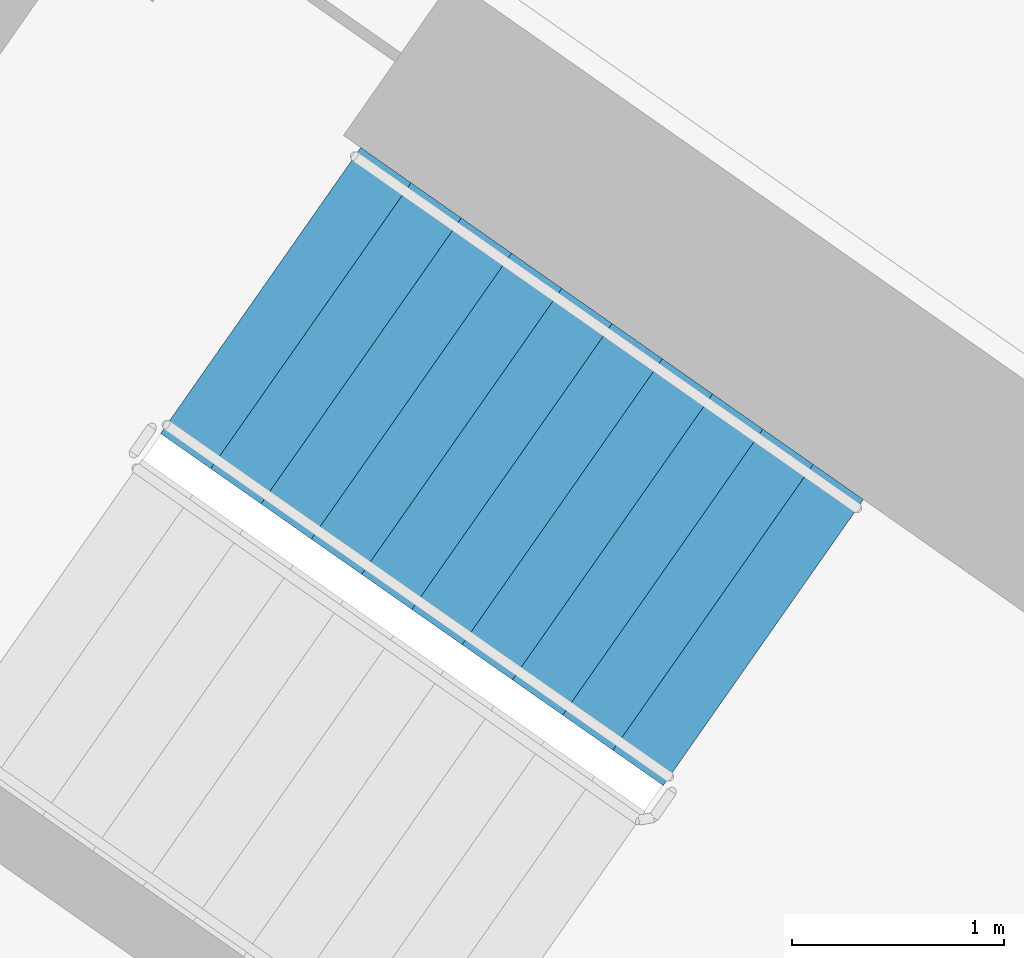
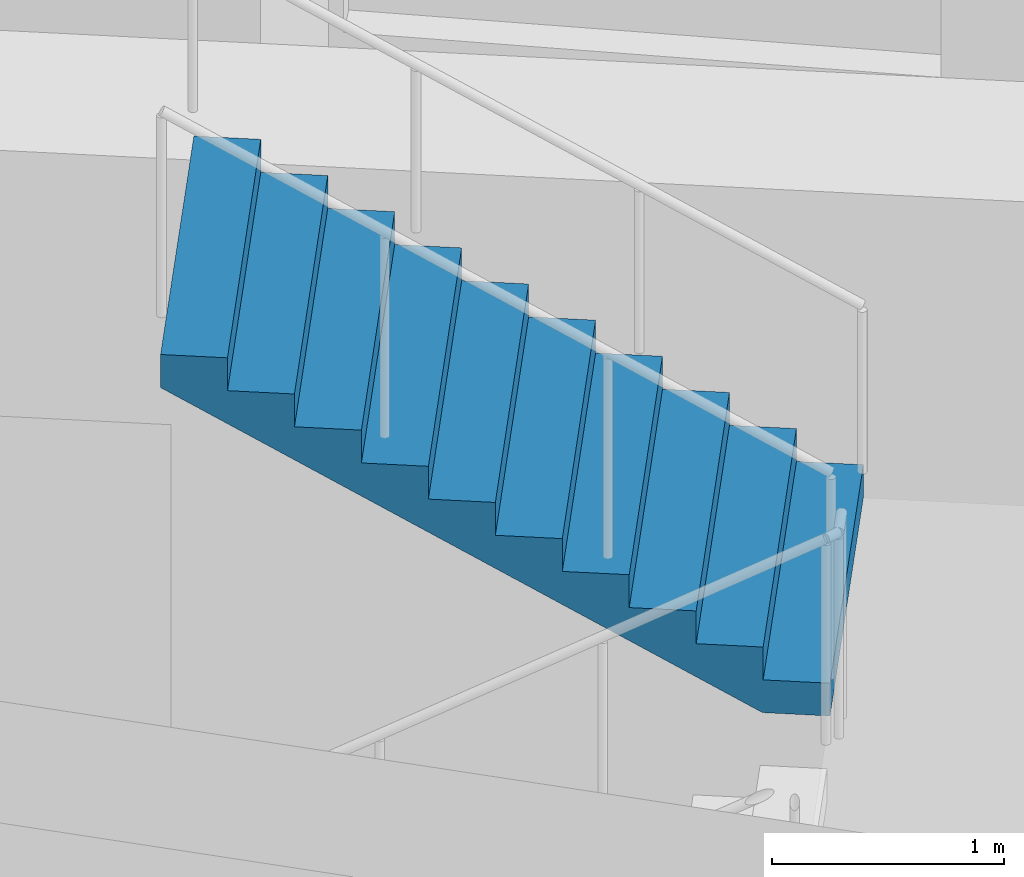
# One storey, part 12 of 29: 1 stair flight, 1 element without a shape of its own.
"""IFC4 building model written with IfcOpenShell, lengths in metres."""

import ifcopenshell
import ifcopenshell.guid

model = None  # the IFC model being written
_history = None  # IfcOwnerHistory: only IFC2X3 demands one
_inside = {}  # id of a spatial element -> (the spatial element, [elements in it])
_under = {}  # id of a project, library or spatial element -> (it, [spatial elements below it])
_declared = {}  # id of a project -> (the project, [libraries it declares])
_typed = {}  # id of a type object -> (the type object, [elements of that type])
_made_of = {}  # id of a material, layer set ... -> (it, [elements and type objects made of it])


def new_model(schema):
    """Start an empty IFC model of exactly this schema.

    Asked for "IFC4X3", IfcOpenShell would pick the latest addendum, in which some entities
    have other attributes; the version numbers below select the first issue.
    IFC2X3 requires an IfcOwnerHistory on every rooted entity: one is made here for all.
    """
    global model, _history
    if schema == "IFC4X3":
        model = ifcopenshell.file(schema_version=(4, 3, 0, 0))
    else:
        model = ifcopenshell.file(schema=schema)
    _inside.clear()
    _under.clear()
    _declared.clear()
    _typed.clear()
    _made_of.clear()
    _history = None
    if model.schema == "IFC2X3":
        org = make("IfcOrganization", Name="unknown")
        user = make(
            "IfcPersonAndOrganization",
            ThePerson=make("IfcPerson", FamilyName="unknown"),
            TheOrganization=org,
        )
        app = make(
            "IfcApplication",
            ApplicationDeveloper=org,
            Version="unknown",
            ApplicationFullName="unknown",
            ApplicationIdentifier="unknown",
        )
        _history = make(
            "IfcOwnerHistory",
            OwningUser=user,
            OwningApplication=app,
            ChangeAction="ADDED",
            CreationDate=0,
        )
    return model


def make(cls, **values):
    """One entity of the class cls with the attributes given. An attribute that is None is left unset."""
    return model.create_entity(
        cls, **{name: value for name, value in values.items() if value is not None}
    )


def rooted(cls, **values):
    """An entity with a GlobalId (a new one), such as an element, a storey or a relation."""
    return make(cls, GlobalId=ifcopenshell.guid.new(), OwnerHistory=_history, **values)


def si_unit(unit_type, name, prefix=None):
    """IfcSIUnit, for example si_unit("LENGTHUNIT", "METRE", prefix="MILLI")."""
    return make("IfcSIUnit", UnitType=unit_type, Prefix=prefix, Name=name)


def assignment(units):
    """IfcUnitAssignment: the units of a project."""
    return None if units is None else make("IfcUnitAssignment", Units=units)


def point(xyz):
    """IfcCartesianPoint."""
    return None if xyz is None else make("IfcCartesianPoint", Coordinates=xyz)


def direction(xyz):
    """IfcDirection."""
    return None if xyz is None else make("IfcDirection", DirectionRatios=xyz)


def frame(location, z_axis=None, x_axis=None):
    """IfcAxis2Placement3D, a coordinate frame: its origin and axes. An axis left out is left unset."""
    return make(
        "IfcAxis2Placement3D",
        Location=point(location),
        Axis=direction(z_axis),
        RefDirection=direction(x_axis),
    )


def origin():
    """The frame at (0, 0, 0) with its axes left unset."""
    return frame((0.0, 0.0, 0.0))


def place(relative_to, where):
    """IfcLocalPlacement: puts the frame where relative to a parent placement (None: the world)."""
    return make(
        "IfcLocalPlacement", PlacementRelTo=relative_to, RelativePlacement=where
    )


def context(
    kind, dimensions, precision=None, world=None, true_north=None, identifier=None
):
    """IfcGeometricRepresentationContext, for example the 3D "Model" context."""
    return make(
        "IfcGeometricRepresentationContext",
        ContextIdentifier=identifier,
        ContextType=kind,
        CoordinateSpaceDimension=dimensions,
        Precision=precision,
        WorldCoordinateSystem=world,
        TrueNorth=true_north,
    )


def subcontext(parent, identifier, kind, view, scale=None):
    """IfcGeometricRepresentationSubContext, for example "Body" below "Model"."""
    return make(
        "IfcGeometricRepresentationSubContext",
        ContextIdentifier=identifier,
        ContextType=kind,
        ParentContext=parent,
        TargetScale=scale,
        TargetView=view,
    )


def project(units=None, contexts=None):
    """IfcProject with its units and contexts."""
    return rooted(
        "IfcProject",
        Name="project",
        RepresentationContexts=contexts,
        UnitsInContext=assignment(units),
    )


def spatial(cls, under=None, at=None, **own):
    """A site, building, storey or space (cls), placed at a placement, below another one or the project."""
    s = rooted(cls, ObjectPlacement=at, **own)
    if under is not None:
        _under.setdefault(under.id(), (under, []))[1].append(s)
    return s


def faces_of(points, faces, orient=None, outer=None):
    """IfcFace entities. A face is a list of loops; a loop is a list of indices into points, from 0.

    orient and outer hold one flag for each loop. By default every Orientation is true, the
    first loop of a face is its IfcFaceOuterBound and the others are IfcFaceBound.
    """
    made = []
    for i, loops in enumerate(faces):
        bounds = []
        for j, loop in enumerate(loops):
            is_outer = j == 0 if outer is None else outer[i][j]
            bounds.append(
                make(
                    "IfcFaceOuterBound" if is_outer else "IfcFaceBound",
                    Bound=make("IfcPolyLoop", Polygon=[points[k] for k in loop]),
                    Orientation=True if orient is None else orient[i][j],
                )
            )
        made.append(make("IfcFace", Bounds=bounds))
    return made


def faceted_brep(points, faces, orient=None, outer=None, voids=None):
    """IfcFacetedBrep: a solid bounded by flat faces; with voids (closed shells), ...WithVoids."""
    shared = [point(p) for p in points]
    hull = make("IfcClosedShell", CfsFaces=faces_of(shared, faces, orient, outer))
    if voids is None:
        return make("IfcFacetedBrep", Outer=hull)
    return make(
        "IfcFacetedBrepWithVoids",
        Outer=hull,
        Voids=[
            make(cls, CfsFaces=faces_of(shared, fs, o, b)) for cls, fs, o, b in voids
        ],
    )


def shape(context_of_items, identifier, shape_type, items):
    """IfcShapeRepresentation: the items that make up one representation, for example the "Body"."""
    return make(
        "IfcShapeRepresentation",
        ContextOfItems=context_of_items,
        RepresentationIdentifier=identifier,
        RepresentationType=shape_type,
        Items=items,
    )


def material(Name=None, Category=None):
    """IfcMaterial."""
    return make("IfcMaterial", Name=Name, Category=Category)


def made_of(thing, what):
    """Note that an element or type object is made of a material, layer set ...; save() writes the relation."""
    if what is not None:
        _made_of.setdefault(what.id(), (what, []))[1].append(thing)
    return thing


def type_object(cls, material=None, **own):
    """A type object (cls), such as IfcWallType, which elements share."""
    return made_of(rooted(cls, **own), material)


def element(
    cls,
    number,
    at=None,
    inside=None,
    cuts=None,
    type_object=None,
    material=None,
    context=None,
    identifier="Body",
    shape_type=None,
    held_by="IfcProductDefinitionShape",
    body=None,
    shapes=None,
    **own,
):
    """One element of the class cls, such as IfcWall. Its Tag is "e" and its number.

    at: its placement. inside: the storey or other place that contains it. cuts: it is an
    opening in that element (IfcRelVoidsElement). A single representation is given by context,
    identifier, shape_type and body (its items); several are given by shapes. held_by: the class
    of the entity that holds the representations. save() writes the other relations.
    """
    e = rooted(cls, Tag="e%d" % number, ObjectPlacement=at, **own)
    if body is not None:
        shapes = [shape(context, identifier, shape_type, body)]
    if shapes is not None:
        e.Representation = make(held_by, Representations=shapes)
    if inside is not None:
        _inside.setdefault(inside.id(), (inside, []))[1].append(e)
    if cuts is not None:
        rooted(
            "IfcRelVoidsElement", RelatingBuildingElement=cuts, RelatedOpeningElement=e
        )
    if type_object is not None:
        _typed.setdefault(type_object.id(), (type_object, []))[1].append(e)
    return made_of(e, material)


def aggregate(whole, parts):
    """IfcRelAggregates: a whole, such as a stair, and the parts it consists of."""
    return rooted("IfcRelAggregates", RelatingObject=whole, RelatedObjects=parts)


def save(model, path):
    """Write the relations noted so far, then the file.

    IfcRelAggregates (storeys below a building ...), IfcRelContainedInSpatialStructure (elements
    in a storey), IfcRelDefinesByType, IfcRelAssociatesMaterial and IfcRelDeclares: one each for
    every whole, place, type object, material and project.
    """
    for whole, parts in _under.values():
        aggregate(whole, parts)
    for where, things in _inside.values():
        rooted(
            "IfcRelContainedInSpatialStructure",
            RelatedElements=things,
            RelatingStructure=where,
        )
    for kind, things in _typed.values():
        rooted("IfcRelDefinesByType", RelatedObjects=things, RelatingType=kind)
    for what, things in _made_of.values():
        rooted("IfcRelAssociatesMaterial", RelatedObjects=things, RelatingMaterial=what)
    for by, libraries in _declared.values():
        rooted("IfcRelDeclares", RelatingContext=by, RelatedDefinitions=libraries)
    model.write(path)


model = new_model("IFC4")

# Units and contexts
model_context = context("Model", 3, precision=1e-05, world=origin(), true_north=direction((0.0, 1.0)))
body_context = subcontext(model_context, "Body", "Model", "MODEL_VIEW")
ifc_project = project(units=[si_unit("LENGTHUNIT", "METRE"), si_unit("AREAUNIT", "SQUARE_METRE"), si_unit("VOLUMEUNIT", "CUBIC_METRE"), si_unit("PLANEANGLEUNIT", "RADIAN"), si_unit("MASSUNIT", "GRAM", prefix="KILO")], contexts=[model_context])

# Site, building, storey
site_placement = place(None, origin())
site = spatial("IfcSite", under=ifc_project, at=site_placement, CompositionType="ELEMENT")
building_placement = place(site_placement, origin())
building = spatial("IfcBuilding", under=site, at=building_placement, Name="Qamariyya Broadcast Tower", CompositionType="ELEMENT")
storey_placement = place(building_placement, frame((0.0, 0.0, 121.5)))
storey = spatial("IfcBuildingStorey", under=building, at=storey_placement, Name="L27", CompositionType="ELEMENT", Elevation=121.5)

# Stair, stair flight
ifc_material = material(Name="Concrete C50/60", Category="concrete")
stair_type = type_object("IfcStairType", Name="Exit stair 22 risers of 173 mm", PredefinedType="HALF_TURN_STAIR", material=ifc_material)
stair_placement = place(storey_placement, origin())
stair = element("IfcStair", 1, at=stair_placement, inside=storey, type_object=stair_type, Name="L27 Stair W2", PredefinedType="HALF_TURN_STAIR")
stair_flight_type = type_object("IfcStairFlightType", Name="Exit stair flight 11 risers of 173 mm", PredefinedType="STRAIGHT", material=ifc_material)
stair_flight_placement = place(storey_placement, frame((-38.18310546875, -49.3486328125, 1.89990234375), z_axis=(0.0, 0.0, 1.0), x_axis=(-0.819152044289, 0.573576436351, 0.0)))
stair_flight = element("IfcStairFlight", 2, at=stair_flight_placement, type_object=stair_flight_type, Name="ST-W2 flight 2", NumberOfRisers=11, NumberOfTreads=10, PredefinedType="STRAIGHT", RiserHeight=0.172727273, TreadLength=0.29, context=body_context, shape_type="Brep", body=[
    faceted_brep([(0.0, 0.824951171875, 0.0), (0.0, 0.824951171875, 0.172607421875), (0.2900390625, 0.824951171875, 0.172607421875), (0.2900390625, 0.824951171875, 0.345458984375), (0.580078125, 0.824951171875, 0.345458984375), (0.580078125, 0.824951171875, 0.51806640625), (0.8701171875, 0.824951171875, 0.51806640625), (0.8701171875, 0.824951171875, 0.69091796875), (1.159912109375, 0.824951171875, 0.69091796875), (1.159912109375, 0.824951171875, 0.863525390625), (1.449951171875, 0.824951171875, 0.863525390625), (1.449951171875, 0.824951171875, 1.036376953125), (1.739990234375, 0.824951171875, 1.036376953125), (1.739990234375, 0.824951171875, 1.208984375), (2.030029296875, 0.824951171875, 1.208984375), (2.030029296875, 0.824951171875, 1.3818359375), (2.320068359375, 0.824951171875, 1.3818359375), (2.320068359375, 0.824951171875, 1.554443359375), (2.610107421875, 0.824951171875, 1.554443359375), (2.610107421875, 0.824951171875, 1.727294921875), (2.89990234375, 0.824951171875, 1.727294921875), (2.89990234375, 0.824951171875, 1.552734375), (0.29296875, 0.824951171875, 0.0), (0.29296875, -0.824951171875, 0.0), (2.89990234375, -0.824951171875, 1.552734375), (2.89990234375, -0.824951171875, 1.727294921875), (2.610107421875, -0.824951171875, 1.727294921875), (2.610107421875, -0.824951171875, 1.554443359375), (2.320068359375, -0.824951171875, 1.554443359375), (2.320068359375, -0.824951171875, 1.3818359375), (2.030029296875, -0.824951171875, 1.3818359375), (2.030029296875, -0.824951171875, 1.208984375), (1.739990234375, -0.824951171875, 1.208984375), (1.739990234375, -0.824951171875, 1.036376953125), (1.449951171875, -0.824951171875, 1.036376953125), (1.449951171875, -0.824951171875, 0.863525390625), (1.159912109375, -0.824951171875, 0.863525390625), (1.159912109375, -0.824951171875, 0.69091796875), (0.8701171875, -0.824951171875, 0.69091796875), (0.8701171875, -0.824951171875, 0.51806640625), (0.580078125, -0.824951171875, 0.51806640625), (0.580078125, -0.824951171875, 0.345458984375), (0.2900390625, -0.824951171875, 0.345458984375), (0.2900390625, -0.824951171875, 0.172607421875), (0.0, -0.824951171875, 0.172607421875), (0.0, -0.824951171875, 0.0), (0.0, 0.10009765625, 0.0), (0.0, 0.086669921875, 0.0), (0.0, 0.0732421875, 0.0), (0.0, 0.06005859375, 0.0), (0.0, 0.046630859375, 0.0), (0.0, 0.033447265625, 0.0), (0.0, 0.02001953125, 0.0), (0.0, 0.006591796875, 0.0), (0.0, -0.006591796875, 0.0), (0.0, -0.02001953125, 0.0), (0.0, -0.033447265625, 0.0), (0.0, -0.046630859375, 0.0), (0.0, -0.06005859375, 0.0), (0.0, -0.0732421875, 0.0), (0.0, -0.086669921875, 0.0), (0.0, -0.10009765625, 0.0), (0.0, -0.10009765625, 0.172607421875), (0.0, -0.086669921875, 0.172607421875), (0.0, -0.0732421875, 0.172607421875), (0.0, -0.06005859375, 0.172607421875), (0.0, -0.046630859375, 0.172607421875), (0.0, -0.033447265625, 0.172607421875), (0.0, -0.02001953125, 0.172607421875), (0.0, -0.006591796875, 0.172607421875), (0.0, 0.006591796875, 0.172607421875), (0.0, 0.02001953125, 0.172607421875), (0.0, 0.033447265625, 0.172607421875), (0.0, 0.046630859375, 0.172607421875), (0.0, 0.06005859375, 0.172607421875), (0.0, 0.0732421875, 0.172607421875), (0.0, 0.086669921875, 0.172607421875), (0.0, 0.10009765625, 0.172607421875), (0.2900390625, -0.10009765625, 0.172607421875), (0.2900390625, -0.086669921875, 0.172607421875), (0.2900390625, -0.0732421875, 0.172607421875), (0.2900390625, -0.06005859375, 0.172607421875), (0.2900390625, -0.046630859375, 0.172607421875), (0.2900390625, -0.033447265625, 0.172607421875), (0.2900390625, -0.02001953125, 0.172607421875), (0.2900390625, -0.006591796875, 0.172607421875), (0.2900390625, 0.006591796875, 0.172607421875), (0.2900390625, 0.02001953125, 0.172607421875), (0.2900390625, 0.033447265625, 0.172607421875), (0.2900390625, 0.046630859375, 0.172607421875), (0.2900390625, 0.06005859375, 0.172607421875), (0.2900390625, 0.0732421875, 0.172607421875), (0.2900390625, 0.086669921875, 0.172607421875), (0.2900390625, 0.10009765625, 0.172607421875), (0.2900390625, -0.10009765625, 0.345458984375), (0.2900390625, -0.086669921875, 0.345458984375), (0.2900390625, -0.0732421875, 0.345458984375), (0.2900390625, -0.06005859375, 0.345458984375), (0.2900390625, -0.046630859375, 0.345458984375), (0.2900390625, -0.033447265625, 0.345458984375), (0.2900390625, -0.02001953125, 0.345458984375), (0.2900390625, -0.006591796875, 0.345458984375), (0.2900390625, 0.006591796875, 0.345458984375), (0.2900390625, 0.02001953125, 0.345458984375), (0.2900390625, 0.033447265625, 0.345458984375), (0.2900390625, 0.046630859375, 0.345458984375), (0.2900390625, 0.06005859375, 0.345458984375), (0.2900390625, 0.0732421875, 0.345458984375), (0.2900390625, 0.086669921875, 0.345458984375), (0.2900390625, 0.10009765625, 0.345458984375), (0.580078125, -0.10009765625, 0.345458984375), (0.580078125, -0.086669921875, 0.345458984375), (0.580078125, -0.0732421875, 0.345458984375), (0.580078125, -0.06005859375, 0.345458984375), (0.580078125, -0.046630859375, 0.345458984375), (0.580078125, -0.033447265625, 0.345458984375), (0.580078125, -0.02001953125, 0.345458984375), (0.580078125, -0.006591796875, 0.345458984375), (0.580078125, 0.006591796875, 0.345458984375), (0.580078125, 0.02001953125, 0.345458984375), (0.580078125, 0.033447265625, 0.345458984375), (0.580078125, 0.046630859375, 0.345458984375), (0.580078125, 0.06005859375, 0.345458984375), (0.580078125, 0.0732421875, 0.345458984375), (0.580078125, 0.086669921875, 0.345458984375), (0.580078125, 0.10009765625, 0.345458984375), (0.580078125, -0.10009765625, 0.51806640625), (0.580078125, -0.086669921875, 0.51806640625), (0.580078125, -0.0732421875, 0.51806640625), (0.580078125, -0.06005859375, 0.51806640625), (0.580078125, -0.046630859375, 0.51806640625), (0.580078125, -0.033447265625, 0.51806640625), (0.580078125, -0.02001953125, 0.51806640625), (0.580078125, -0.006591796875, 0.51806640625), (0.580078125, 0.006591796875, 0.51806640625), (0.580078125, 0.02001953125, 0.51806640625), (0.580078125, 0.033447265625, 0.51806640625), (0.580078125, 0.046630859375, 0.51806640625), (0.580078125, 0.06005859375, 0.51806640625), (0.580078125, 0.0732421875, 0.51806640625), (0.580078125, 0.086669921875, 0.51806640625), (0.580078125, 0.10009765625, 0.51806640625), (0.8701171875, -0.10009765625, 0.51806640625), (0.8701171875, -0.086669921875, 0.51806640625), (0.8701171875, -0.0732421875, 0.51806640625), (0.8701171875, -0.06005859375, 0.51806640625), (0.8701171875, -0.046630859375, 0.51806640625), (0.8701171875, -0.033447265625, 0.51806640625), (0.8701171875, -0.02001953125, 0.51806640625), (0.8701171875, -0.006591796875, 0.51806640625), (0.8701171875, 0.006591796875, 0.51806640625), (0.8701171875, 0.02001953125, 0.51806640625), (0.8701171875, 0.033447265625, 0.51806640625), (0.8701171875, 0.046630859375, 0.51806640625), (0.8701171875, 0.06005859375, 0.51806640625), (0.8701171875, 0.0732421875, 0.51806640625), (0.8701171875, 0.086669921875, 0.51806640625), (0.8701171875, 0.10009765625, 0.51806640625), (0.8701171875, -0.10009765625, 0.69091796875), (0.8701171875, -0.086669921875, 0.69091796875), (0.8701171875, -0.0732421875, 0.69091796875), (0.8701171875, -0.06005859375, 0.69091796875), (0.8701171875, -0.046630859375, 0.69091796875), (0.8701171875, -0.033447265625, 0.69091796875), (0.8701171875, -0.02001953125, 0.69091796875), (0.8701171875, -0.006591796875, 0.69091796875), (0.8701171875, 0.006591796875, 0.69091796875), (0.8701171875, 0.02001953125, 0.69091796875), (0.8701171875, 0.033447265625, 0.69091796875), (0.8701171875, 0.046630859375, 0.69091796875), (0.8701171875, 0.06005859375, 0.69091796875), (0.8701171875, 0.0732421875, 0.69091796875), (0.8701171875, 0.086669921875, 0.69091796875), (0.8701171875, 0.10009765625, 0.69091796875), (1.159912109375, -0.10009765625, 0.69091796875), (1.159912109375, -0.086669921875, 0.69091796875), (1.159912109375, -0.0732421875, 0.69091796875), (1.159912109375, -0.06005859375, 0.69091796875), (1.159912109375, -0.046630859375, 0.69091796875), (1.159912109375, -0.033447265625, 0.69091796875), (1.159912109375, -0.02001953125, 0.69091796875), (1.159912109375, -0.006591796875, 0.69091796875), (1.159912109375, 0.006591796875, 0.69091796875), (1.159912109375, 0.02001953125, 0.69091796875), (1.159912109375, 0.033447265625, 0.69091796875), (1.159912109375, 0.046630859375, 0.69091796875), (1.159912109375, 0.06005859375, 0.69091796875), (1.159912109375, 0.0732421875, 0.69091796875), (1.159912109375, 0.086669921875, 0.69091796875), (1.159912109375, 0.10009765625, 0.69091796875), (1.159912109375, -0.10009765625, 0.863525390625), (1.159912109375, -0.086669921875, 0.863525390625), (1.159912109375, -0.0732421875, 0.863525390625), (1.159912109375, -0.06005859375, 0.863525390625), (1.159912109375, -0.046630859375, 0.863525390625), (1.159912109375, -0.033447265625, 0.863525390625), (1.159912109375, -0.02001953125, 0.863525390625), (1.159912109375, -0.006591796875, 0.863525390625), (1.159912109375, 0.006591796875, 0.863525390625), (1.159912109375, 0.02001953125, 0.863525390625), (1.159912109375, 0.033447265625, 0.863525390625), (1.159912109375, 0.046630859375, 0.863525390625), (1.159912109375, 0.06005859375, 0.863525390625), (1.159912109375, 0.0732421875, 0.863525390625), (1.159912109375, 0.086669921875, 0.863525390625), (1.159912109375, 0.10009765625, 0.863525390625), (1.449951171875, -0.10009765625, 0.863525390625), (1.449951171875, -0.086669921875, 0.863525390625), (1.449951171875, -0.0732421875, 0.863525390625), (1.449951171875, -0.06005859375, 0.863525390625), (1.449951171875, -0.046630859375, 0.863525390625), (1.449951171875, -0.033447265625, 0.863525390625), (1.449951171875, -0.02001953125, 0.863525390625), (1.449951171875, -0.006591796875, 0.863525390625), (1.449951171875, 0.006591796875, 0.863525390625), (1.449951171875, 0.02001953125, 0.863525390625), (1.449951171875, 0.033447265625, 0.863525390625), (1.449951171875, 0.046630859375, 0.863525390625), (1.449951171875, 0.06005859375, 0.863525390625), (1.449951171875, 0.0732421875, 0.863525390625), (1.449951171875, 0.086669921875, 0.863525390625), (1.449951171875, 0.10009765625, 0.863525390625), (1.449951171875, -0.10009765625, 1.036376953125), (1.449951171875, -0.086669921875, 1.036376953125), (1.449951171875, -0.0732421875, 1.036376953125), (1.449951171875, -0.06005859375, 1.036376953125), (1.449951171875, -0.046630859375, 1.036376953125), (1.449951171875, -0.033447265625, 1.036376953125), (1.449951171875, -0.02001953125, 1.036376953125), (1.449951171875, -0.006591796875, 1.036376953125), (1.449951171875, 0.006591796875, 1.036376953125), (1.449951171875, 0.02001953125, 1.036376953125), (1.449951171875, 0.033447265625, 1.036376953125), (1.449951171875, 0.046630859375, 1.036376953125), (1.449951171875, 0.06005859375, 1.036376953125), (1.449951171875, 0.0732421875, 1.036376953125), (1.449951171875, 0.086669921875, 1.036376953125), (1.449951171875, 0.10009765625, 1.036376953125), (1.739990234375, -0.10009765625, 1.036376953125), (1.739990234375, -0.086669921875, 1.036376953125), (1.739990234375, -0.0732421875, 1.036376953125), (1.739990234375, -0.06005859375, 1.036376953125), (1.739990234375, -0.046630859375, 1.036376953125), (1.739990234375, -0.033447265625, 1.036376953125), (1.739990234375, -0.02001953125, 1.036376953125), (1.739990234375, -0.006591796875, 1.036376953125), (1.739990234375, 0.006591796875, 1.036376953125), (1.739990234375, 0.02001953125, 1.036376953125), (1.739990234375, 0.033447265625, 1.036376953125), (1.739990234375, 0.046630859375, 1.036376953125), (1.739990234375, 0.06005859375, 1.036376953125), (1.739990234375, 0.0732421875, 1.036376953125), (1.739990234375, 0.086669921875, 1.036376953125), (1.739990234375, 0.10009765625, 1.036376953125), (1.739990234375, -0.10009765625, 1.208984375), (1.739990234375, -0.086669921875, 1.208984375), (1.739990234375, -0.0732421875, 1.208984375), (1.739990234375, -0.06005859375, 1.208984375), (1.739990234375, -0.046630859375, 1.208984375), (1.739990234375, -0.033447265625, 1.208984375), (1.739990234375, -0.02001953125, 1.208984375), (1.739990234375, -0.006591796875, 1.208984375), (1.739990234375, 0.006591796875, 1.208984375), (1.739990234375, 0.02001953125, 1.208984375), (1.739990234375, 0.033447265625, 1.208984375), (1.739990234375, 0.046630859375, 1.208984375), (1.739990234375, 0.06005859375, 1.208984375), (1.739990234375, 0.0732421875, 1.208984375), (1.739990234375, 0.086669921875, 1.208984375), (1.739990234375, 0.10009765625, 1.208984375), (2.030029296875, -0.10009765625, 1.208984375), (2.030029296875, -0.086669921875, 1.208984375), (2.030029296875, -0.0732421875, 1.208984375), (2.030029296875, -0.06005859375, 1.208984375), (2.030029296875, -0.046630859375, 1.208984375), (2.030029296875, -0.033447265625, 1.208984375), (2.030029296875, -0.02001953125, 1.208984375), (2.030029296875, -0.006591796875, 1.208984375), (2.030029296875, 0.006591796875, 1.208984375), (2.030029296875, 0.02001953125, 1.208984375), (2.030029296875, 0.033447265625, 1.208984375), (2.030029296875, 0.046630859375, 1.208984375), (2.030029296875, 0.06005859375, 1.208984375), (2.030029296875, 0.0732421875, 1.208984375), (2.030029296875, 0.086669921875, 1.208984375), (2.030029296875, 0.10009765625, 1.208984375), (2.030029296875, -0.10009765625, 1.3818359375), (2.030029296875, -0.086669921875, 1.3818359375), (2.030029296875, -0.0732421875, 1.3818359375), (2.030029296875, -0.06005859375, 1.3818359375), (2.030029296875, -0.046630859375, 1.3818359375), (2.030029296875, -0.033447265625, 1.3818359375), (2.030029296875, -0.02001953125, 1.3818359375), (2.030029296875, -0.006591796875, 1.3818359375), (2.030029296875, 0.006591796875, 1.3818359375), (2.030029296875, 0.02001953125, 1.3818359375), (2.030029296875, 0.033447265625, 1.3818359375), (2.030029296875, 0.046630859375, 1.3818359375), (2.030029296875, 0.06005859375, 1.3818359375), (2.030029296875, 0.0732421875, 1.3818359375), (2.030029296875, 0.086669921875, 1.3818359375), (2.030029296875, 0.10009765625, 1.3818359375), (2.320068359375, -0.10009765625, 1.3818359375), (2.320068359375, -0.086669921875, 1.3818359375), (2.320068359375, -0.0732421875, 1.3818359375), (2.320068359375, -0.06005859375, 1.3818359375), (2.320068359375, -0.046630859375, 1.3818359375), (2.320068359375, -0.033447265625, 1.3818359375), (2.320068359375, -0.02001953125, 1.3818359375), (2.320068359375, -0.006591796875, 1.3818359375), (2.320068359375, 0.006591796875, 1.3818359375), (2.320068359375, 0.02001953125, 1.3818359375), (2.320068359375, 0.033447265625, 1.3818359375), (2.320068359375, 0.046630859375, 1.3818359375), (2.320068359375, 0.06005859375, 1.3818359375), (2.320068359375, 0.0732421875, 1.3818359375), (2.320068359375, 0.086669921875, 1.3818359375), (2.320068359375, 0.10009765625, 1.3818359375), (2.320068359375, -0.10009765625, 1.554443359375), (2.320068359375, -0.086669921875, 1.554443359375), (2.320068359375, -0.0732421875, 1.554443359375), (2.320068359375, -0.06005859375, 1.554443359375), (2.320068359375, -0.046630859375, 1.554443359375), (2.320068359375, -0.033447265625, 1.554443359375), (2.320068359375, -0.02001953125, 1.554443359375), (2.320068359375, -0.006591796875, 1.554443359375), (2.320068359375, 0.006591796875, 1.554443359375), (2.320068359375, 0.02001953125, 1.554443359375), (2.320068359375, 0.033447265625, 1.554443359375), (2.320068359375, 0.046630859375, 1.554443359375), (2.320068359375, 0.06005859375, 1.554443359375), (2.320068359375, 0.0732421875, 1.554443359375), (2.320068359375, 0.086669921875, 1.554443359375), (2.320068359375, 0.10009765625, 1.554443359375), (2.610107421875, -0.10009765625, 1.554443359375), (2.610107421875, -0.086669921875, 1.554443359375), (2.610107421875, -0.0732421875, 1.554443359375), (2.610107421875, -0.06005859375, 1.554443359375), (2.610107421875, -0.046630859375, 1.554443359375), (2.610107421875, -0.033447265625, 1.554443359375), (2.610107421875, -0.02001953125, 1.554443359375), (2.610107421875, -0.006591796875, 1.554443359375), (2.610107421875, 0.006591796875, 1.554443359375), (2.610107421875, 0.02001953125, 1.554443359375), (2.610107421875, 0.033447265625, 1.554443359375), (2.610107421875, 0.046630859375, 1.554443359375), (2.610107421875, 0.06005859375, 1.554443359375), (2.610107421875, 0.0732421875, 1.554443359375), (2.610107421875, 0.086669921875, 1.554443359375), (2.610107421875, 0.10009765625, 1.554443359375), (2.610107421875, -0.10009765625, 1.727294921875), (2.610107421875, -0.086669921875, 1.727294921875), (2.610107421875, -0.0732421875, 1.727294921875), (2.610107421875, -0.06005859375, 1.727294921875), (2.610107421875, -0.046630859375, 1.727294921875), (2.610107421875, -0.033447265625, 1.727294921875), (2.610107421875, -0.02001953125, 1.727294921875), (2.610107421875, -0.006591796875, 1.727294921875), (2.610107421875, 0.006591796875, 1.727294921875), (2.610107421875, 0.02001953125, 1.727294921875), (2.610107421875, 0.033447265625, 1.727294921875), (2.610107421875, 0.046630859375, 1.727294921875), (2.610107421875, 0.06005859375, 1.727294921875), (2.610107421875, 0.0732421875, 1.727294921875), (2.610107421875, 0.086669921875, 1.727294921875), (2.610107421875, 0.10009765625, 1.727294921875), (2.89990234375, -0.10009765625, 1.727294921875), (2.89990234375, -0.086669921875, 1.727294921875), (2.89990234375, -0.0732421875, 1.727294921875), (2.89990234375, -0.06005859375, 1.727294921875), (2.89990234375, -0.046630859375, 1.727294921875), (2.89990234375, -0.033447265625, 1.727294921875), (2.89990234375, -0.02001953125, 1.727294921875), (2.89990234375, -0.006591796875, 1.727294921875), (2.89990234375, 0.006591796875, 1.727294921875), (2.89990234375, 0.02001953125, 1.727294921875), (2.89990234375, 0.033447265625, 1.727294921875), (2.89990234375, 0.046630859375, 1.727294921875), (2.89990234375, 0.06005859375, 1.727294921875), (2.89990234375, 0.0732421875, 1.727294921875), (2.89990234375, 0.086669921875, 1.727294921875), (2.89990234375, 0.10009765625, 1.727294921875), (2.89990234375, -0.10009765625, 1.552734375), (2.89990234375, -0.086669921875, 1.552734375), (2.89990234375, -0.0732421875, 1.552734375), (2.89990234375, -0.06005859375, 1.552734375), (2.89990234375, -0.046630859375, 1.552734375), (2.89990234375, -0.033447265625, 1.552734375), (2.89990234375, -0.02001953125, 1.552734375), (2.89990234375, -0.006591796875, 1.552734375), (2.89990234375, 0.006591796875, 1.552734375), (2.89990234375, 0.02001953125, 1.552734375), (2.89990234375, 0.033447265625, 1.552734375), (2.89990234375, 0.046630859375, 1.552734375), (2.89990234375, 0.06005859375, 1.552734375), (2.89990234375, 0.0732421875, 1.552734375), (2.89990234375, 0.086669921875, 1.552734375), (2.89990234375, 0.10009765625, 1.552734375), (0.29296875, -0.10009765625, 0.0), (0.29296875, -0.086669921875, 0.0), (0.29296875, -0.0732421875, 0.0), (0.29296875, -0.06005859375, 0.0), (0.29296875, -0.046630859375, 0.0), (0.29296875, -0.033447265625, 0.0), (0.29296875, -0.02001953125, 0.0), (0.29296875, -0.006591796875, 0.0), (0.29296875, 0.006591796875, 0.0), (0.29296875, 0.02001953125, 0.0), (0.29296875, 0.033447265625, 0.0), (0.29296875, 0.046630859375, 0.0), (0.29296875, 0.06005859375, 0.0), (0.29296875, 0.0732421875, 0.0), (0.29296875, 0.086669921875, 0.0), (0.29296875, 0.10009765625, 0.0)], [[[0, 1, 2, 3, 4, 5, 6, 7, 8, 9, 10, 11, 12, 13, 14, 15, 16, 17, 18, 19, 20, 21, 22]], [[23, 24, 25, 26, 27, 28, 29, 30, 31, 32, 33, 34, 35, 36, 37, 38, 39, 40, 41, 42, 43, 44, 45]], [[0, 46, 47, 48, 49, 50, 51, 52, 53, 54, 55, 56, 57, 58, 59, 60, 61, 45, 44, 62, 63, 64, 65, 66, 67, 68, 69, 70, 71, 72, 73, 74, 75, 76, 77, 1]], [[1, 77, 76, 75, 74, 73, 72, 71, 70, 69, 68, 67, 66, 65, 64, 63, 62, 44, 43, 78, 79, 80, 81, 82, 83, 84, 85, 86, 87, 88, 89, 90, 91, 92, 93, 2]], [[2, 93, 92, 91, 90, 89, 88, 87, 86, 85, 84, 83, 82, 81, 80, 79, 78, 43, 42, 94, 95, 96, 97, 98, 99, 100, 101, 102, 103, 104, 105, 106, 107, 108, 109, 3]], [[3, 109, 108, 107, 106, 105, 104, 103, 102, 101, 100, 99, 98, 97, 96, 95, 94, 42, 41, 110, 111, 112, 113, 114, 115, 116, 117, 118, 119, 120, 121, 122, 123, 124, 125, 4]], [[4, 125, 124, 123, 122, 121, 120, 119, 118, 117, 116, 115, 114, 113, 112, 111, 110, 41, 40, 126, 127, 128, 129, 130, 131, 132, 133, 134, 135, 136, 137, 138, 139, 140, 141, 5]], [[5, 141, 140, 139, 138, 137, 136, 135, 134, 133, 132, 131, 130, 129, 128, 127, 126, 40, 39, 142, 143, 144, 145, 146, 147, 148, 149, 150, 151, 152, 153, 154, 155, 156, 157, 6]], [[6, 157, 156, 155, 154, 153, 152, 151, 150, 149, 148, 147, 146, 145, 144, 143, 142, 39, 38, 158, 159, 160, 161, 162, 163, 164, 165, 166, 167, 168, 169, 170, 171, 172, 173, 7]], [[7, 173, 172, 171, 170, 169, 168, 167, 166, 165, 164, 163, 162, 161, 160, 159, 158, 38, 37, 174, 175, 176, 177, 178, 179, 180, 181, 182, 183, 184, 185, 186, 187, 188, 189, 8]], [[8, 189, 188, 187, 186, 185, 184, 183, 182, 181, 180, 179, 178, 177, 176, 175, 174, 37, 36, 190, 191, 192, 193, 194, 195, 196, 197, 198, 199, 200, 201, 202, 203, 204, 205, 9]], [[9, 205, 204, 203, 202, 201, 200, 199, 198, 197, 196, 195, 194, 193, 192, 191, 190, 36, 35, 206, 207, 208, 209, 210, 211, 212, 213, 214, 215, 216, 217, 218, 219, 220, 221, 10]], [[10, 221, 220, 219, 218, 217, 216, 215, 214, 213, 212, 211, 210, 209, 208, 207, 206, 35, 34, 222, 223, 224, 225, 226, 227, 228, 229, 230, 231, 232, 233, 234, 235, 236, 237, 11]], [[11, 237, 236, 235, 234, 233, 232, 231, 230, 229, 228, 227, 226, 225, 224, 223, 222, 34, 33, 238, 239, 240, 241, 242, 243, 244, 245, 246, 247, 248, 249, 250, 251, 252, 253, 12]], [[12, 253, 252, 251, 250, 249, 248, 247, 246, 245, 244, 243, 242, 241, 240, 239, 238, 33, 32, 254, 255, 256, 257, 258, 259, 260, 261, 262, 263, 264, 265, 266, 267, 268, 269, 13]], [[13, 269, 268, 267, 266, 265, 264, 263, 262, 261, 260, 259, 258, 257, 256, 255, 254, 32, 31, 270, 271, 272, 273, 274, 275, 276, 277, 278, 279, 280, 281, 282, 283, 284, 285, 14]], [[14, 285, 284, 283, 282, 281, 280, 279, 278, 277, 276, 275, 274, 273, 272, 271, 270, 31, 30, 286, 287, 288, 289, 290, 291, 292, 293, 294, 295, 296, 297, 298, 299, 300, 301, 15]], [[15, 301, 300, 299, 298, 297, 296, 295, 294, 293, 292, 291, 290, 289, 288, 287, 286, 30, 29, 302, 303, 304, 305, 306, 307, 308, 309, 310, 311, 312, 313, 314, 315, 316, 317, 16]], [[16, 317, 316, 315, 314, 313, 312, 311, 310, 309, 308, 307, 306, 305, 304, 303, 302, 29, 28, 318, 319, 320, 321, 322, 323, 324, 325, 326, 327, 328, 329, 330, 331, 332, 333, 17]], [[17, 333, 332, 331, 330, 329, 328, 327, 326, 325, 324, 323, 322, 321, 320, 319, 318, 28, 27, 334, 335, 336, 337, 338, 339, 340, 341, 342, 343, 344, 345, 346, 347, 348, 349, 18]], [[18, 349, 348, 347, 346, 345, 344, 343, 342, 341, 340, 339, 338, 337, 336, 335, 334, 27, 26, 350, 351, 352, 353, 354, 355, 356, 357, 358, 359, 360, 361, 362, 363, 364, 365, 19]], [[19, 365, 364, 363, 362, 361, 360, 359, 358, 357, 356, 355, 354, 353, 352, 351, 350, 26, 25, 366, 367, 368, 369, 370, 371, 372, 373, 374, 375, 376, 377, 378, 379, 380, 381, 20]], [[20, 381, 380, 379, 378, 377, 376, 375, 374, 373, 372, 371, 370, 369, 368, 367, 366, 25, 24, 382, 383, 384, 385, 386, 387, 388, 389, 390, 391, 392, 393, 394, 395, 396, 397, 21]], [[21, 397, 396, 395, 394, 393, 392, 391, 390, 389, 388, 387, 386, 385, 384, 383, 382, 24, 23, 398, 399, 400, 401, 402, 403, 404, 405, 406, 407, 408, 409, 410, 411, 412, 413, 22]], [[22, 413, 412, 411, 410, 409, 408, 407, 406, 405, 404, 403, 402, 401, 400, 399, 398, 23, 45, 61, 60, 59, 58, 57, 56, 55, 54, 53, 52, 51, 50, 49, 48, 47, 46, 0]]]),
])
aggregate(stair, [stair_flight])

save(model, "model.ifc")
